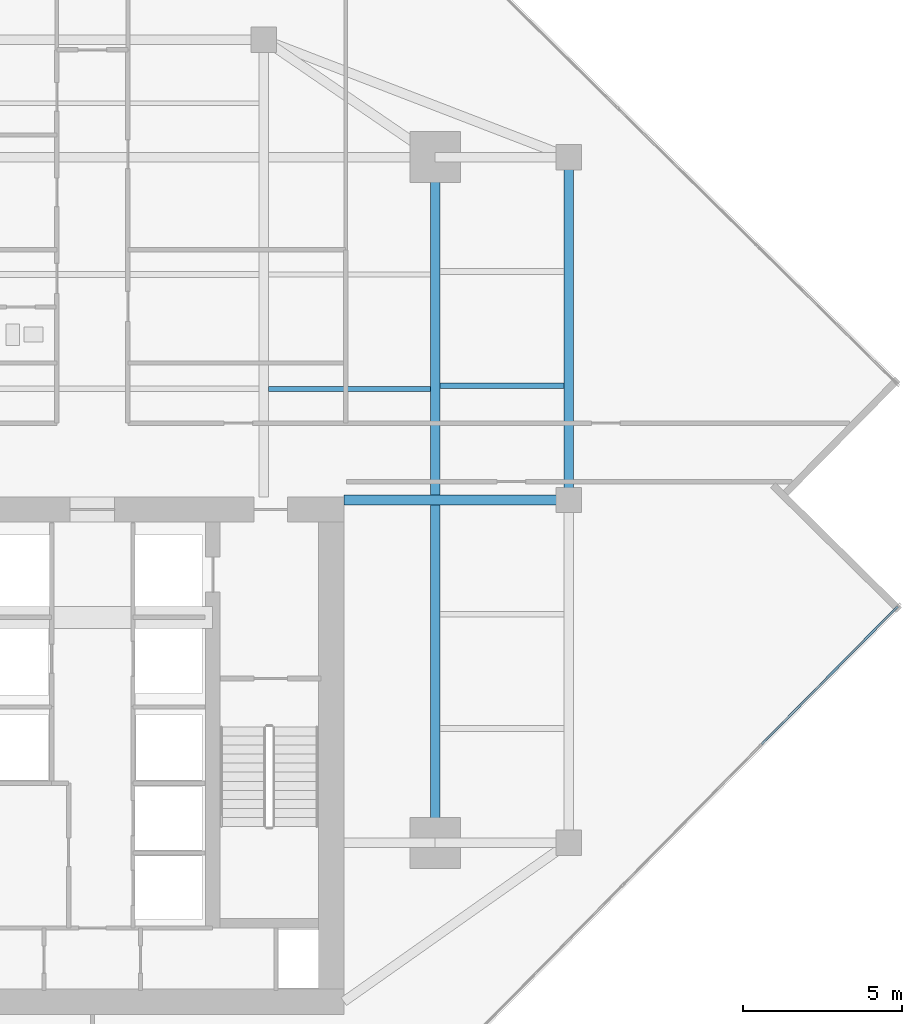
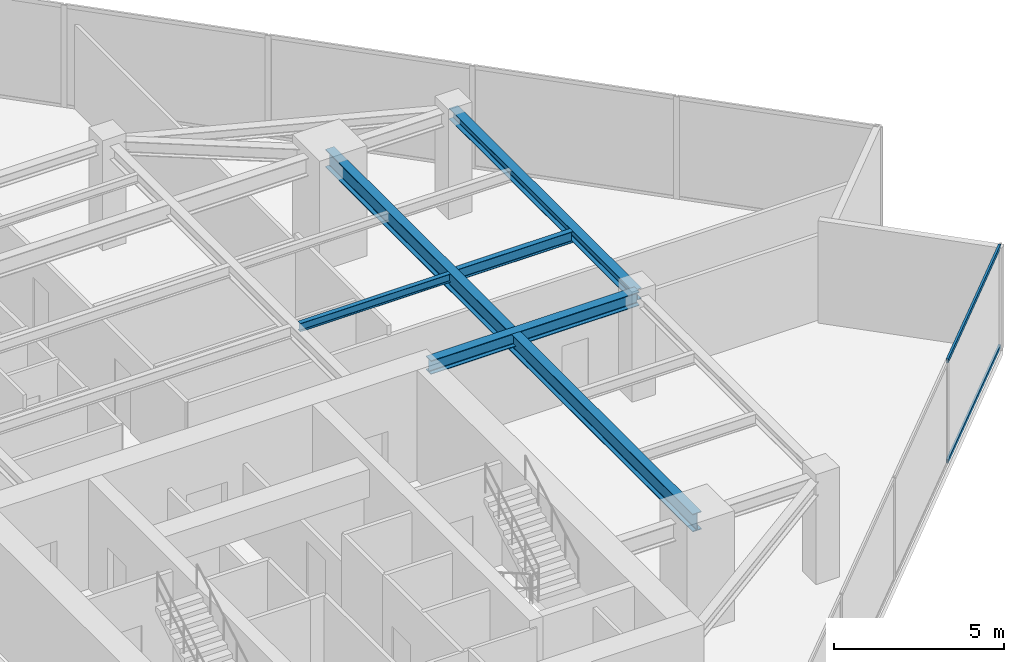
# One storey, part 11 of 24: 5 beams, 2 members, 1 element without a shape of its own.
"""IFC4 building model written with IfcOpenShell, lengths in metres."""

from ifc_helpers import new_model, si_unit, direction, frame, origin, origin_2d, place, context, subcontext, project, spatial, hollow_rectangle, i_section, extrude, source, transform, mapped, material, material_profile, profile_set, type_object, type_shapes, element, aggregate, save


model = new_model("IFC4")

# Units and contexts
model_context = context("Model", 3, precision=1e-05, world=origin(), true_north=direction((0.0, 1.0)))
body_context = subcontext(model_context, "Body", "Model", "MODEL_VIEW")
ifc_project = project(units=[si_unit("LENGTHUNIT", "METRE"), si_unit("AREAUNIT", "SQUARE_METRE"), si_unit("VOLUMEUNIT", "CUBIC_METRE"), si_unit("PLANEANGLEUNIT", "RADIAN"), si_unit("MASSUNIT", "GRAM", prefix="KILO")], contexts=[model_context])

# Site, building, storey
site_placement = place(None, origin())
site = spatial("IfcSite", under=ifc_project, at=site_placement, CompositionType="ELEMENT")
building_placement = place(site_placement, origin())
building = spatial("IfcBuilding", under=site, at=building_placement, Name="Krantzveldt Concourse Tower", CompositionType="ELEMENT")
storey_placement = place(building_placement, frame((0.0, 0.0, 234.949951171875)))
storey = spatial("IfcBuildingStorey", under=building, at=storey_placement, Name="L57", CompositionType="ELEMENT", Elevation=234.949951171875)

# Beams
ifc_material_1 = material(Name="Steel S355JR", Category="steel")
ifc_material_profile_1 = material_profile(ifc_material_1, i_section(OverallWidth=0.300048828125, OverallDepth=0.639892578125, WebThickness=0.013427734375, FlangeThickness=0.02587890625, FilletRadius=0.027099609375, at=origin_2d()), Name="Steel S355JR", Category="steel")
ifc_profile_set_1 = profile_set([ifc_material_profile_1], Name="Steel S355JR - HEA 650")
beam_type_1 = type_object("IfcBeamType", Name="BM-B-HEA650", PredefinedType="BEAM", material=ifc_profile_set_1)
shared_shape_1 = source(origin(), body_context, "Body", "SweptSolid", [
    extrude(i_section(OverallWidth=0.300048828125, OverallDepth=0.639892578125, WebThickness=0.013427734375, FlangeThickness=0.02587890625, FilletRadius=0.027099609375, at=origin_2d()), origin(), (0.0, 0.0, 1.0), 21.60009765625),
])
type_shapes(beam_type_1, [shared_shape_1])
beam_1_placement = place(storey_placement, frame((46.800048828125, 15.89990234375, 3.35009765625), z_axis=(0.0, 1.0, 0.0), x_axis=(-1.0, 0.0, 0.0)))
element("IfcBeam", 1, at=beam_1_placement, inside=storey, type_object=beam_type_1, Name="L57 Tower Girder BG-ME", PredefinedType="BEAM", context=body_context, shape_type="MappedRepresentation", body=[
    mapped(shared_shape_1, transform((0.0, 0.0, 0.0), x_axis=(1.0, 0.0, 0.0), y_axis=(0.0, 1.0, 0.0), z_axis=(0.0, 0.0, 1.0), scale=1.0)),
])
ifc_material_profile_2 = material_profile(ifc_material_1, i_section(OverallWidth=0.300048828125, OverallDepth=0.389892578125, WebThickness=0.010986328125, FlangeThickness=0.01904296875, FilletRadius=0.027099609375, at=origin_2d()), Name="Steel S355JR", Category="steel")
ifc_profile_set_2 = profile_set([ifc_material_profile_2], Name="Steel S355JR - HEA 400")
beam_type_2 = type_object("IfcBeamType", Name="BM-SP-HEA400", PredefinedType="SPANDREL", material=ifc_profile_set_2)
shared_shape_2 = source(origin(), body_context, "Body", "SweptSolid", [
    extrude(i_section(OverallWidth=0.300048828125, OverallDepth=0.389892578125, WebThickness=0.010986328125, FlangeThickness=0.01904296875, FilletRadius=0.027099609375, at=origin_2d()), origin(), (0.0, 0.0, 1.0), 10.800048828125),
])
type_shapes(beam_type_2, [shared_shape_2])
beam_2_placement = place(storey_placement, frame((51.0, 37.5, 3.47509765625), z_axis=(0.0, -1.0, 0.0), x_axis=(1.0, 0.0, 0.0)))
element("IfcBeam", 2, at=beam_2_placement, inside=storey, type_object=beam_type_2, Name="L57 Tower Girder SP-R06", PredefinedType="SPANDREL", context=body_context, shape_type="MappedRepresentation", body=[
    mapped(shared_shape_2, transform((0.0, 0.0, 0.0), x_axis=(1.0, 0.0, 0.0), y_axis=(0.0, 1.0, 0.0), z_axis=(0.0, 0.0, 1.0), scale=1.0)),
])
ifc_material_profile_3 = material_profile(ifc_material_1, i_section(OverallWidth=0.300048828125, OverallDepth=0.489990234375, WebThickness=0.011962890625, FlangeThickness=0.02294921875, FilletRadius=0.027099609375, at=origin_2d()), Name="Steel S355JR", Category="steel")
ifc_profile_set_3 = profile_set([ifc_material_profile_3], Name="Steel S355JR - HEA 500")
beam_type_3 = type_object("IfcBeamType", Name="BM-B-HEA500", PredefinedType="BEAM", material=ifc_profile_set_3)
shared_shape_3 = source(origin(), body_context, "Body", "SweptSolid", [
    extrude(i_section(OverallWidth=0.300048828125, OverallDepth=0.489990234375, WebThickness=0.011962890625, FlangeThickness=0.02294921875, FilletRadius=0.027099609375, at=origin_2d()), origin(), (0.0, 0.0, 1.0), 7.080078125),
])
type_shapes(beam_type_3, [shared_shape_3])
beam_3_placement = place(storey_placement, frame((43.919921875, 26.699951171875, 3.425048828125), z_axis=(1.0, 0.0, 0.0), x_axis=(0.0, 1.0, 0.0)))
element("IfcBeam", 3, at=beam_3_placement, inside=storey, type_object=beam_type_3, Name="L57 Tower Girder BG-CE2", PredefinedType="BEAM", context=body_context, shape_type="MappedRepresentation", body=[
    mapped(shared_shape_3, transform((0.0, 0.0, 0.0), x_axis=(1.0, 0.0, 0.0), y_axis=(0.0, 1.0, 0.0), z_axis=(0.0, 0.0, 1.0), scale=1.0)),
])
ifc_material_profile_4 = material_profile(ifc_material_1, i_section(OverallWidth=0.14990234375, OverallDepth=0.300048828125, WebThickness=0.007080078125, FlangeThickness=0.0107421875, FilletRadius=0.014892578125, at=origin_2d()), Name="Steel S355JR", Category="steel")
ifc_profile_set_4 = profile_set([ifc_material_profile_4], Name="Steel S355JR - IPE 300")
beam_type_4 = type_object("IfcBeamType", Name="BM-J-IPE300", PredefinedType="JOIST", material=ifc_profile_set_4)
shared_shape_4 = source(origin(), body_context, "Body", "SweptSolid", [
    extrude(i_section(OverallWidth=0.14990234375, OverallDepth=0.300048828125, WebThickness=0.007080078125, FlangeThickness=0.0107421875, FilletRadius=0.014892578125, at=origin_2d()), origin(), (0.0, 0.0, 1.0), 5.099853515625),
])
type_shapes(beam_type_4, [shared_shape_4])
beam_4_placement = place(storey_placement, frame((41.550048828125, 30.199951171875, 3.52001953125), z_axis=(1.0, 0.0, 0.0), x_axis=(0.0, 1.0, 0.0)))
element("IfcBeam", 4, at=beam_4_placement, inside=storey, type_object=beam_type_4, Name="L57 Secondary Floor Joist JN-E1", PredefinedType="JOIST", context=body_context, shape_type="MappedRepresentation", body=[
    mapped(shared_shape_4, transform((0.0, 0.0, 0.0), x_axis=(1.0, 0.0, 0.0), y_axis=(0.0, 1.0, 0.0), z_axis=(0.0, 0.0, 1.0), scale=1.0)),
])
ifc_material_profile_5 = material_profile(ifc_material_1, i_section(OverallWidth=0.179931640625, OverallDepth=0.39990234375, WebThickness=0.008544921875, FlangeThickness=0.013427734375, FilletRadius=0.02099609375, at=origin_2d()), Name="Steel S355JR", Category="steel")
ifc_profile_set_5 = profile_set([ifc_material_profile_5], Name="Steel S355JR - IPE 400")
beam_type_5 = type_object("IfcBeamType", Name="BM-J-IPE400", PredefinedType="JOIST", material=ifc_profile_set_5)
shared_shape_5 = source(origin(), body_context, "Body", "SweptSolid", [
    extrude(i_section(OverallWidth=0.179931640625, OverallDepth=0.39990234375, WebThickness=0.008544921875, FlangeThickness=0.013427734375, FilletRadius=0.02099609375, at=origin_2d()), origin(), (0.0, 0.0, 1.0), 3.900146484375),
])
type_shapes(beam_type_5, [shared_shape_5])
beam_5_placement = place(storey_placement, frame((46.949951171875, 30.300048828125, 3.469970703125), z_axis=(1.0, 0.0, 0.0), x_axis=(0.0, 1.0, 0.0)))
element("IfcBeam", 5, at=beam_5_placement, inside=storey, type_object=beam_type_5, Name="L57 Secondary Floor Joist JE-3", PredefinedType="JOIST", context=body_context, shape_type="MappedRepresentation", body=[
    mapped(shared_shape_5, transform((0.0, 0.0, 0.0), x_axis=(1.0, 0.0, 0.0), y_axis=(0.0, 1.0, 0.0), z_axis=(0.0, 0.0, 1.0), scale=1.0)),
])

# Curtain wall, members
ifc_material_2 = material(Name="Anodised aluminium 6063-T6", Category="aluminium")
curtain_wall_type = type_object("IfcCurtainWallType", Name="CW3", PredefinedType="USERDEFINED", material=ifc_material_2)
curtain_wall_placement = place(storey_placement, origin())
curtain_wall = element("IfcCurtainWall", 6, at=curtain_wall_placement, inside=storey, type_object=curtain_wall_type, Name="CW-L57-F07", ObjectType="UNITISED CURTAIN WALL", PredefinedType="USERDEFINED")
ifc_material_profile_6 = material_profile(ifc_material_2, hollow_rectangle(XDim=0.070068359375, YDim=0.139892578125, WallThickness=0.0048828125, at=origin_2d()), Name="Anodised aluminium 6063-T6", Category="aluminium")
ifc_profile_set_6 = profile_set([ifc_material_profile_6], Name="Anodised aluminium 6063-T6 - ALU-TRAN 140x70x5")
member_type = type_object("IfcMemberType", Name="CW-TRN-150", PredefinedType="USERDEFINED", material=ifc_profile_set_6)
shared_shape_6 = source(origin(), body_context, "Body", "SweptSolid", [
    extrude(hollow_rectangle(XDim=0.070068359375, YDim=0.139892578125, WallThickness=0.0048828125, at=origin_2d()), origin(), (0.0, 0.0, 1.0), 6.094970703125),
])
type_shapes(member_type, [shared_shape_6])
member_1_placement = place(storey_placement, frame((57.083740234375, 19.006591796875, 0.03515625), z_axis=(0.702465157511, 0.711718134154, 0.0), x_axis=(-0.711718134154, 0.702465157511, 0.0)))
member_1 = element("IfcMember", 7, at=member_1_placement, type_object=member_type, Name="CW-Z34 transom 5.1", ObjectType="TRANSOM", PredefinedType="USERDEFINED", context=body_context, shape_type="MappedRepresentation", body=[
    mapped(shared_shape_6, transform((0.0, 0.0, 0.0), x_axis=(1.0, 0.0, 0.0), y_axis=(0.0, 1.0, 0.0), z_axis=(0.0, 0.0, 1.0), scale=1.0)),
])
member_2_placement = place(storey_placement, frame((57.083740234375, 19.006591796875, 3.635009765625), z_axis=(0.702465157511, 0.711718134154, 0.0), x_axis=(-0.711718134154, 0.702465157511, 0.0)))
member_2 = element("IfcMember", 8, at=member_2_placement, type_object=member_type, Name="CW-Z34 transom 5.2", ObjectType="TRANSOM", PredefinedType="USERDEFINED", context=body_context, shape_type="MappedRepresentation", body=[
    mapped(shared_shape_6, transform((0.0, 0.0, 0.0), x_axis=(1.0, 0.0, 0.0), y_axis=(0.0, 1.0, 0.0), z_axis=(0.0, 0.0, 1.0), scale=1.0)),
])
aggregate(curtain_wall, [member_1, member_2])

save(model, "model.ifc")
